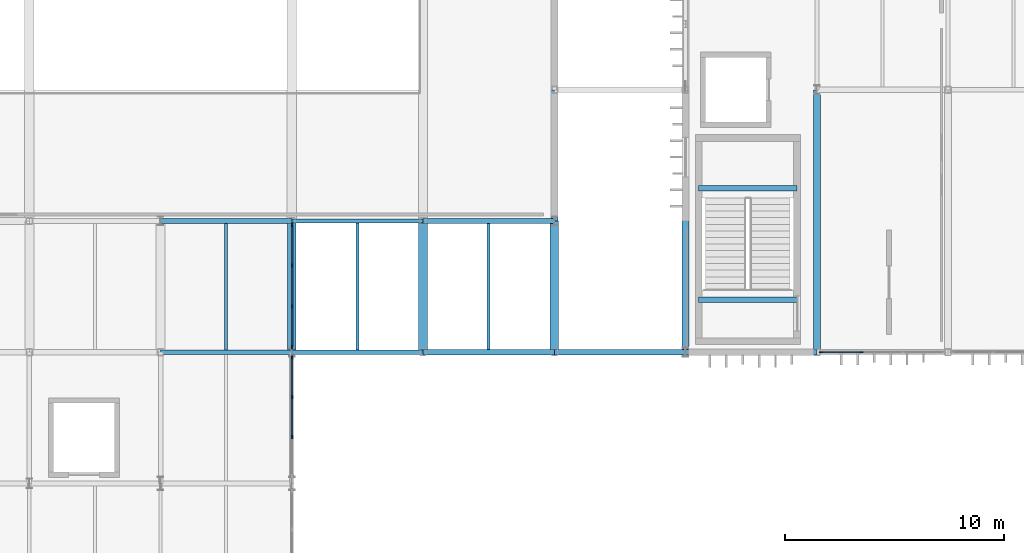
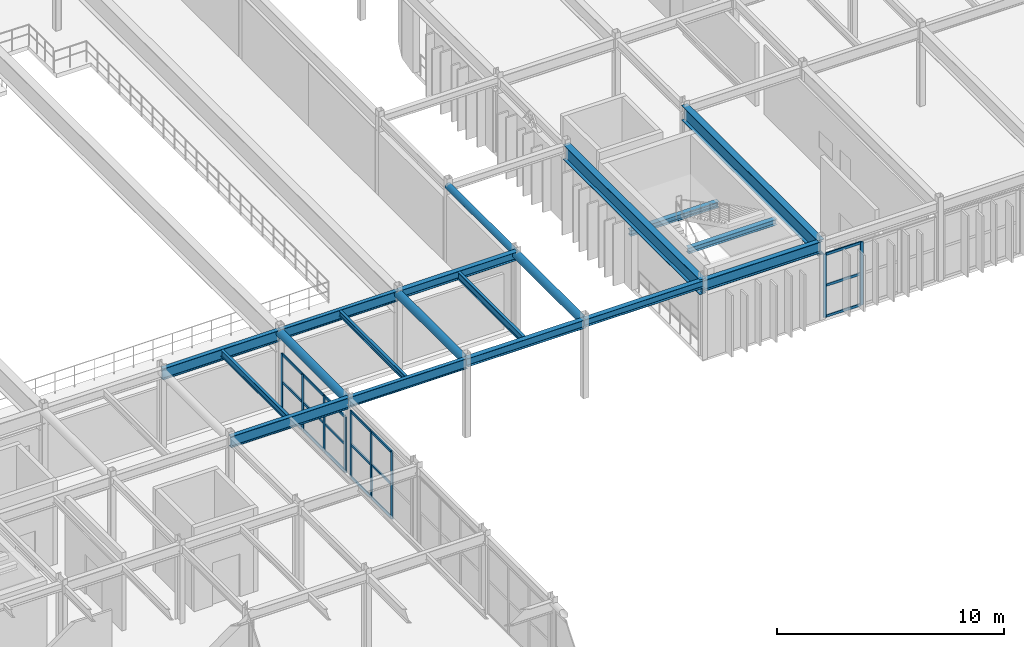
# One storey, part 43 of 96: 27 members, 19 beams, 3 elements without a shape of their own.
"""IFC4 building model written with IfcOpenShell, lengths in metres."""

from ifc_helpers import new_model, si_unit, direction, frame, origin, origin_2d, place, context, subcontext, project, spatial, rectangle, hollow_circle, i_section, extrude, material, material_profile, profile_set, type_object, element, aggregate, save


model = new_model("IFC4")

# Units and contexts
model_context = context("Model", 3, precision=1e-05, world=origin(), true_north=direction((0.0, 1.0)))
body_context = subcontext(model_context, "Body", "Model", "MODEL_VIEW")
ifc_project = project(units=[si_unit("LENGTHUNIT", "METRE"), si_unit("AREAUNIT", "SQUARE_METRE"), si_unit("VOLUMEUNIT", "CUBIC_METRE"), si_unit("PLANEANGLEUNIT", "RADIAN"), si_unit("MASSUNIT", "GRAM", prefix="KILO")], contexts=[model_context])

# Site, building, storey
site_placement = place(None, origin())
site = spatial("IfcSite", under=ifc_project, at=site_placement, CompositionType="ELEMENT")
building_placement = place(site_placement, origin())
building = spatial("IfcBuilding", under=site, at=building_placement, Name="Varnakota Square Police Headquarters", CompositionType="ELEMENT")
storey_placement = place(building_placement, frame((0.0, 0.0, 4.800048828125)))
storey = spatial("IfcBuildingStorey", under=building, at=storey_placement, Name="L01", CompositionType="ELEMENT", Elevation=4.800048828125)

# Beams
ifc_material_1 = material(Name="Steel IS 2062 Grade 350", Category="steel")
ifc_material_profile_1 = material_profile(ifc_material_1, hollow_circle(Radius=0.161865234375, WallThickness=0.0126953125, at=origin_2d()), Name="CHS 323.9x12.7")
ifc_profile_set_1 = profile_set([ifc_material_profile_1], Name="Steel IS 2062 Grade 350")
beam_type_1 = type_object("IfcBeamType", Name="BM-ARC-CHS324", PredefinedType="BEAM", material=ifc_profile_set_1)
beam_1_placement = place(storey_placement, frame((54.0, 75.0, 4.0380859375), z_axis=(0.0, 1.0, 0.0), x_axis=(-1.0, 0.0, 0.0)))
element("IfcBeam", 1, at=beam_1_placement, inside=storey, type_object=beam_type_1, Name="BMG-L01-1640", PredefinedType="BEAM", context=body_context, shape_type="SweptSolid", body=[
    extrude(hollow_circle(Radius=0.161865234375, WallThickness=0.0126953125, at=origin_2d()), origin(), (0.0, 0.0, 1.0), 6.0),
])
ifc_material_profile_2 = material_profile(ifc_material_1, hollow_circle(Radius=0.203125, WallThickness=0.01611328125, at=origin_2d()), Name="CHS 406.4x16.0")
ifc_profile_set_2 = profile_set([ifc_material_profile_2], Name="Steel IS 2062 Grade 350")
beam_type_2 = type_object("IfcBeamType", Name="BM-ARC-CHS406", PredefinedType="BEAM", material=ifc_profile_set_2)
for number, where, z_axis, x_axis, name in (
    (2, (42.0, 69.0, 3.996826171875), (0.0, 1.0, 0.0), (-1.0, 0.0, 0.0), "BMG-L01-1624"),
    (3, (48.0, 69.0, 3.996826171875), (0.0, 1.0, 0.0), (-1.0, 0.0, 0.0), "BMG-L01-1630"),
    (4, (54.0, 69.0, 3.996826171875), (0.0, 1.0, 0.0), (-1.0, 0.0, 0.0), "BMG-L01-1639"),
):
    element("IfcBeam", number, at=place(storey_placement, frame(where, z_axis=z_axis, x_axis=x_axis)), inside=storey, type_object=beam_type_2, Name=name, PredefinedType="BEAM", context=body_context, shape_type="SweptSolid", body=[
        extrude(hollow_circle(Radius=0.203125, WallThickness=0.01611328125, at=origin_2d()), origin(), (0.0, 0.0, 1.0), 6.0),
    ])
ifc_material_profile_3 = material_profile(ifc_material_1, i_section(OverallWidth=0.320068359375, OverallDepth=0.800048828125, WebThickness=0.01611328125, FlangeThickness=0.028076171875, at=origin_2d()), Name="BPG 800x320")
ifc_profile_set_3 = profile_set([ifc_material_profile_3], Name="Steel IS 2062 Grade 350")
beam_type_3 = type_object("IfcBeamType", Name="BM-BPG800", PredefinedType="BEAM", material=ifc_profile_set_3)
for number, where, z_axis, x_axis, name in (
    (5, (60.0, 69.0, 3.800048828125), (0.0, 1.0, 0.0), (-1.0, 0.0, 0.0), "BMG-L01-1645"),
    (6, (66.0, 69.0, 3.800048828125), (0.0, 1.0, 0.0), (-1.0, 0.0, 0.0), "BMG-L01-1649"),
):
    element("IfcBeam", number, at=place(storey_placement, frame(where, z_axis=z_axis, x_axis=x_axis)), inside=storey, type_object=beam_type_3, Name=name, PredefinedType="BEAM", context=body_context, shape_type="SweptSolid", body=[
        extrude(i_section(OverallWidth=0.320068359375, OverallDepth=0.800048828125, WebThickness=0.01611328125, FlangeThickness=0.028076171875, at=origin_2d()), origin(), (0.0, 0.0, 1.0), 12.0),
    ])
ifc_material_profile_4 = material_profile(ifc_material_1, i_section(OverallWidth=0.25, OverallDepth=0.300048828125, WebThickness=0.009521484375, FlangeThickness=0.010498046875, FilletRadius=0.011962890625, at=origin_2d()), Name="ISHB 300")
ifc_profile_set_4 = profile_set([ifc_material_profile_4], Name="Steel IS 2062 Grade 350")
beam_type_4 = type_object("IfcBeamType", Name="BM-ISHB300", PredefinedType="BEAM", material=ifc_profile_set_4)
for number, where, z_axis, x_axis, name in (
    (7, (60.60009765625, 76.500732421875, 1.94189453125), (1.0, 0.0, 0.0), (0.0, 1.0, 0.0), "Stair landing support beam BM-LND-0073"),
    (8, (60.60009765625, 71.400146484375, 4.099853515625), (1.0, 0.0, 0.0), (0.0, 1.0, 0.0), "Stair landing support beam BM-LND-0074"),
):
    element("IfcBeam", number, at=place(storey_placement, frame(where, z_axis=z_axis, x_axis=x_axis)), inside=storey, type_object=beam_type_4, Name=name, PredefinedType="BEAM", context=body_context, shape_type="SweptSolid", body=[
        extrude(i_section(OverallWidth=0.25, OverallDepth=0.300048828125, WebThickness=0.009521484375, FlangeThickness=0.010498046875, FilletRadius=0.011962890625, at=origin_2d()), origin(), (0.0, 0.0, 1.0), 4.5),
    ])
ifc_material_profile_5 = material_profile(ifc_material_1, i_section(OverallWidth=0.25, OverallDepth=0.39990234375, WebThickness=0.010498046875, FlangeThickness=0.0126953125, FilletRadius=0.013916015625, at=origin_2d()), Name="ISHB 400")
ifc_profile_set_5 = profile_set([ifc_material_profile_5], Name="Steel IS 2062 Grade 350")
beam_type_5 = type_object("IfcBeamType", Name="BM-ISHB400", PredefinedType="BEAM", material=ifc_profile_set_5)
beam_2_placement = place(storey_placement, frame((54.0, 69.0, 4.0), z_axis=(1.0, 0.0, 0.0), x_axis=(0.0, 1.0, 0.0)))
element("IfcBeam", 9, at=beam_2_placement, inside=storey, type_object=beam_type_5, Name="BMG-L01-1425", PredefinedType="BEAM", context=body_context, shape_type="SweptSolid", body=[
    extrude(i_section(OverallWidth=0.25, OverallDepth=0.39990234375, WebThickness=0.010498046875, FlangeThickness=0.0126953125, FilletRadius=0.013916015625, at=origin_2d()), origin(), (0.0, 0.0, 1.0), 6.0),
])
ifc_material_profile_6 = material_profile(ifc_material_1, i_section(OverallWidth=0.25, OverallDepth=0.449951171875, WebThickness=0.01123046875, FlangeThickness=0.013671875, FilletRadius=0.014892578125, at=origin_2d()), Name="ISHB 450")
ifc_profile_set_6 = profile_set([ifc_material_profile_6], Name="Steel IS 2062 Grade 350")
beam_type_6 = type_object("IfcBeamType", Name="BM-ISHB450", PredefinedType="BEAM", material=ifc_profile_set_6)
for number, where, z_axis, x_axis, name in (
    (10, (48.0, 69.0, 3.974853515625), (1.0, 0.0, 0.0), (0.0, 1.0, 0.0), "BMG-L01-1424"),
    (11, (48.0, 75.0, 3.974853515625), (1.0, 0.0, 0.0), (0.0, 1.0, 0.0), "BMG-L01-1449"),
):
    element("IfcBeam", number, at=place(storey_placement, frame(where, z_axis=z_axis, x_axis=x_axis)), inside=storey, type_object=beam_type_6, Name=name, PredefinedType="BEAM", context=body_context, shape_type="SweptSolid", body=[
        extrude(i_section(OverallWidth=0.25, OverallDepth=0.449951171875, WebThickness=0.01123046875, FlangeThickness=0.013671875, FilletRadius=0.014892578125, at=origin_2d()), origin(), (0.0, 0.0, 1.0), 6.0),
    ])
ifc_material_profile_7 = material_profile(ifc_material_1, i_section(OverallWidth=0.139892578125, OverallDepth=0.300048828125, WebThickness=0.0078125, FlangeThickness=0.01318359375, FilletRadius=0.013916015625, at=origin_2d()), Name="ISMB 300")
ifc_profile_set_7 = profile_set([ifc_material_profile_7], Name="Steel IS 2062 Grade 350")
beam_type_7 = type_object("IfcBeamType", Name="BM-ISMB300", PredefinedType="JOIST", material=ifc_profile_set_7)
beam_3_placement = place(storey_placement, frame((45.0, 69.093017578125, 4.050048828125), z_axis=(0.0, 1.0, 0.0), x_axis=(-1.0, 0.0, 0.0)))
element("IfcBeam", 12, at=beam_3_placement, inside=storey, type_object=beam_type_7, Name="BMG-L01-1838", PredefinedType="JOIST", context=body_context, shape_type="SweptSolid", body=[
    extrude(i_section(OverallWidth=0.139892578125, OverallDepth=0.300048828125, WebThickness=0.0078125, FlangeThickness=0.01318359375, FilletRadius=0.013916015625, at=origin_2d()), origin(), (0.0, 0.0, 1.0), 5.81396484375),
])
ifc_material_profile_8 = material_profile(ifc_material_1, i_section(OverallWidth=0.139892578125, OverallDepth=0.35009765625, WebThickness=0.008056640625, FlangeThickness=0.01416015625, FilletRadius=0.013916015625, at=origin_2d()), Name="ISMB 350")
ifc_profile_set_8 = profile_set([ifc_material_profile_8], Name="Steel IS 2062 Grade 350")
beam_type_8 = type_object("IfcBeamType", Name="BM-ISMB350", PredefinedType="JOIST", material=ifc_profile_set_8)
beam_4_placement = place(storey_placement, frame((39.0, 69.10302734375, 4.02490234375), z_axis=(0.0, 1.0, 0.0), x_axis=(-1.0, 0.0, 0.0)))
element("IfcBeam", 13, at=beam_4_placement, inside=storey, type_object=beam_type_8, Name="BMG-L01-1834", PredefinedType="JOIST", context=body_context, shape_type="SweptSolid", body=[
    extrude(i_section(OverallWidth=0.139892578125, OverallDepth=0.35009765625, WebThickness=0.008056640625, FlangeThickness=0.01416015625, FilletRadius=0.013916015625, at=origin_2d()), origin(), (0.0, 0.0, 1.0), 5.7939453125),
])
ifc_material_profile_9 = material_profile(ifc_material_1, i_section(OverallWidth=0.139892578125, OverallDepth=0.39990234375, WebThickness=0.0087890625, FlangeThickness=0.01611328125, FilletRadius=0.013916015625, at=origin_2d()), Name="ISMB 400")
ifc_profile_set_9 = profile_set([ifc_material_profile_9], Name="Steel IS 2062 Grade 350")
beam_type_9 = type_object("IfcBeamType", Name="BM-ISMB400", PredefinedType="JOIST", material=ifc_profile_set_9)
beam_5_placement = place(storey_placement, frame((51.0, 69.123046875, 4.0), z_axis=(0.0, 1.0, 0.0), x_axis=(-1.0, 0.0, 0.0)))
element("IfcBeam", 14, at=beam_5_placement, inside=storey, type_object=beam_type_9, Name="BMG-L01-1840", PredefinedType="JOIST", context=body_context, shape_type="SweptSolid", body=[
    extrude(i_section(OverallWidth=0.139892578125, OverallDepth=0.39990234375, WebThickness=0.0087890625, FlangeThickness=0.01611328125, FilletRadius=0.013916015625, at=origin_2d()), origin(), (0.0, 0.0, 1.0), 5.75390625),
])
ifc_material_profile_10 = material_profile(ifc_material_1, i_section(OverallWidth=0.18994140625, OverallDepth=0.550048828125, WebThickness=0.01123046875, FlangeThickness=0.019287109375, FilletRadius=0.01806640625, at=origin_2d()), Name="ISMB 550")
ifc_profile_set_10 = profile_set([ifc_material_profile_10], Name="Steel IS 2062 Grade 350")
beam_type_10 = type_object("IfcBeamType", Name="BM-ISMB550", PredefinedType="BEAM", material=ifc_profile_set_10)
for number, where, z_axis, x_axis, name in (
    (15, (42.0, 69.0, 3.925048828125), (1.0, 0.0, 0.0), (0.0, 1.0, 0.0), "BMG-L01-1423"),
    (16, (42.0, 75.0, 3.925048828125), (1.0, 0.0, 0.0), (0.0, 1.0, 0.0), "BMG-L01-1448"),
):
    element("IfcBeam", number, at=place(storey_placement, frame(where, z_axis=z_axis, x_axis=x_axis)), inside=storey, type_object=beam_type_10, Name=name, PredefinedType="BEAM", context=body_context, shape_type="SweptSolid", body=[
        extrude(i_section(OverallWidth=0.18994140625, OverallDepth=0.550048828125, WebThickness=0.01123046875, FlangeThickness=0.019287109375, FilletRadius=0.01806640625, at=origin_2d()), origin(), (0.0, 0.0, 1.0), 6.0),
    ])
ifc_material_profile_11 = material_profile(ifc_material_1, i_section(OverallWidth=0.2099609375, OverallDepth=0.60009765625, WebThickness=0.011962890625, FlangeThickness=0.020751953125, FilletRadius=0.02001953125, at=origin_2d()), Name="ISMB 600")
ifc_profile_set_11 = profile_set([ifc_material_profile_11], Name="Steel IS 2062 Grade 350")
beam_type_11 = type_object("IfcBeamType", Name="BM-ISMB600", PredefinedType="BEAM", material=ifc_profile_set_11)
for number, where, z_axis, x_axis, name in (
    (17, (36.0, 69.0, 3.89990234375), (1.0, 0.0, 0.0), (0.0, 1.0, 0.0), "BMG-L01-1422"),
    (18, (36.0, 75.0, 3.89990234375), (1.0, 0.0, 0.0), (0.0, 1.0, 0.0), "BMG-L01-1447"),
):
    element("IfcBeam", number, at=place(storey_placement, frame(where, z_axis=z_axis, x_axis=x_axis)), inside=storey, type_object=beam_type_11, Name=name, PredefinedType="BEAM", context=body_context, shape_type="SweptSolid", body=[
        extrude(i_section(OverallWidth=0.2099609375, OverallDepth=0.60009765625, WebThickness=0.011962890625, FlangeThickness=0.020751953125, FilletRadius=0.02001953125, at=origin_2d()), origin(), (0.0, 0.0, 1.0), 6.0),
    ])
ifc_material_profile_12 = material_profile(ifc_material_1, i_section(OverallWidth=0.25, OverallDepth=0.60009765625, WebThickness=0.01171875, FlangeThickness=0.023681640625, FilletRadius=0.01708984375, at=origin_2d()), Name="ISWB 600")
ifc_profile_set_12 = profile_set([ifc_material_profile_12], Name="Steel IS 2062 Grade 350")
beam_type_12 = type_object("IfcBeamType", Name="BM-ISWB600", PredefinedType="BEAM", material=ifc_profile_set_12)
beam_6_placement = place(storey_placement, frame((60.0, 69.0, 3.89990234375), z_axis=(1.0, 0.0, 0.0), x_axis=(0.0, 1.0, 0.0)))
element("IfcBeam", 19, at=beam_6_placement, inside=storey, type_object=beam_type_12, Name="BMG-L01-1426", PredefinedType="BEAM", context=body_context, shape_type="SweptSolid", body=[
    extrude(i_section(OverallWidth=0.25, OverallDepth=0.60009765625, WebThickness=0.01171875, FlangeThickness=0.023681640625, FilletRadius=0.01708984375, at=origin_2d()), origin(), (0.0, 0.0, 1.0), 6.0),
])

# Curtain wall, members
ifc_material_2 = material(Name="Anodised Aluminium Framing", Category="aluminium")
curtain_wall_type_1 = type_object("IfcCurtainWallType", Name="CW-SYS-D", PredefinedType="NOTDEFINED", material=ifc_material_2)
curtain_wall_1_placement = place(storey_placement, origin())
curtain_wall_1 = element("IfcCurtainWall", 20, at=curtain_wall_1_placement, inside=storey, type_object=curtain_wall_type_1, Name="Unitised curtain wall CWG-L01-146", PredefinedType="NOTDEFINED")
ifc_material_3 = material(Name="Anodised Aluminium 6063-T6", Category="aluminium")
ifc_material_profile_13 = material_profile(ifc_material_3, rectangle(XDim=0.06494140625, YDim=0.159912109375, at=origin_2d()), Name="ALU MULLION 65x160")
ifc_profile_set_13 = profile_set([ifc_material_profile_13], Name="Anodised Aluminium 6063-T6")
member_type_1 = type_object("IfcMemberType", Name="CWM-150", PredefinedType="MULLION", material=ifc_profile_set_13)
member_1_placement = place(storey_placement, frame((42.0, 65.135009765625, 0.0), z_axis=(0.0, 0.0, 1.0), x_axis=(-1.0, 0.0, 0.0)))
member_1 = element("IfcMember", 21, at=member_1_placement, type_object=member_type_1, Name="CWG-L01-146 mullion 2", PredefinedType="MULLION", context=body_context, shape_type="SweptSolid", body=[
    extrude(rectangle(XDim=0.06494140625, YDim=0.159912109375, at=origin_2d()), origin(), (0.0, 0.0, 1.0), 3.58984375),
])
member_2_placement = place(storey_placement, frame((42.0, 66.965087890625, 0.0), z_axis=(0.0, 0.0, 1.0), x_axis=(-1.0, 0.0, 0.0)))
member_2 = element("IfcMember", 22, at=member_2_placement, type_object=member_type_1, Name="CWG-L01-146 mullion 3", PredefinedType="MULLION", context=body_context, shape_type="SweptSolid", body=[
    extrude(rectangle(XDim=0.06494140625, YDim=0.159912109375, at=origin_2d()), origin(), (0.0, 0.0, 1.0), 3.58984375),
])
member_3_placement = place(storey_placement, frame((42.0, 68.762451171875, 0.0), z_axis=(0.0, 0.0, 1.0), x_axis=(-1.0, 0.0, 0.0)))
member_3 = element("IfcMember", 23, at=member_3_placement, type_object=member_type_1, Name="CWG-L01-146 mullion 4", PredefinedType="MULLION", context=body_context, shape_type="SweptSolid", body=[
    extrude(rectangle(XDim=0.06494140625, YDim=0.159912109375, at=origin_2d()), origin(), (0.0, 0.0, 1.0), 3.58984375),
])

curtain_wall_2_placement = place(storey_placement, origin())
curtain_wall_2 = element("IfcCurtainWall", 24, at=curtain_wall_2_placement, inside=storey, type_object=curtain_wall_type_1, Name="Unitised curtain wall CWG-L01-147", PredefinedType="NOTDEFINED")
member_4_placement = place(storey_placement, frame((42.0, 69.237548828125, 0.0), z_axis=(0.0, 0.0, 1.0), x_axis=(-1.0, 0.0, 0.0)))
member_4 = element("IfcMember", 25, at=member_4_placement, type_object=member_type_1, Name="CWG-L01-147 mullion 1", PredefinedType="MULLION", context=body_context, shape_type="SweptSolid", body=[
    extrude(rectangle(XDim=0.06494140625, YDim=0.159912109375, at=origin_2d()), origin(), (0.0, 0.0, 1.0), 2.989990234375),
])
member_5_placement = place(storey_placement, frame((42.0, 71.0849609375, 0.0), z_axis=(0.0, 0.0, 1.0), x_axis=(-1.0, 0.0, 0.0)))
member_5 = element("IfcMember", 26, at=member_5_placement, type_object=member_type_1, Name="CWG-L01-147 mullion 2", PredefinedType="MULLION", context=body_context, shape_type="SweptSolid", body=[
    extrude(rectangle(XDim=0.06494140625, YDim=0.159912109375, at=origin_2d()), origin(), (0.0, 0.0, 1.0), 2.989990234375),
])
member_6_placement = place(storey_placement, frame((42.0, 72.965087890625, 0.0), z_axis=(0.0, 0.0, 1.0), x_axis=(-1.0, 0.0, 0.0)))
member_6 = element("IfcMember", 27, at=member_6_placement, type_object=member_type_1, Name="CWG-L01-147 mullion 3", PredefinedType="MULLION", context=body_context, shape_type="SweptSolid", body=[
    extrude(rectangle(XDim=0.06494140625, YDim=0.159912109375, at=origin_2d()), origin(), (0.0, 0.0, 1.0), 2.989990234375),
])
member_7_placement = place(storey_placement, frame((42.0, 74.8125, 0.0), z_axis=(0.0, 0.0, 1.0), x_axis=(-1.0, 0.0, 0.0)))
member_7 = element("IfcMember", 28, at=member_7_placement, type_object=member_type_1, Name="CWG-L01-147 mullion 4", PredefinedType="MULLION", context=body_context, shape_type="SweptSolid", body=[
    extrude(rectangle(XDim=0.06494140625, YDim=0.159912109375, at=origin_2d()), origin(), (0.0, 0.0, 1.0), 2.989990234375),
])

curtain_wall_type_2 = type_object("IfcCurtainWallType", Name="CW-SYS-B", PredefinedType="NOTDEFINED", material=ifc_material_2)
curtain_wall_3_placement = place(storey_placement, origin())
curtain_wall_3 = element("IfcCurtainWall", 29, at=curtain_wall_3_placement, inside=storey, type_object=curtain_wall_type_2, Name="Unitised curtain wall CWG-L01-227", PredefinedType="NOTDEFINED")
member_8_placement = place(storey_placement, frame((66.1875, 69.0, 0.0), z_axis=(0.0, 0.0, 1.0), x_axis=(0.0, 1.0, 0.0)))
member_8 = element("IfcMember", 30, at=member_8_placement, type_object=member_type_1, Name="CWG-L01-227 mullion 1", PredefinedType="MULLION", context=body_context, shape_type="SweptSolid", body=[
    extrude(rectangle(XDim=0.06494140625, YDim=0.159912109375, at=origin_2d()), origin(), (0.0, 0.0, 1.0), 3.389892578125),
])
member_9_placement = place(storey_placement, frame((68.0517578125, 69.0, 0.0), z_axis=(0.0, 0.0, 1.0), x_axis=(0.0, 1.0, 0.0)))
member_9 = element("IfcMember", 31, at=member_9_placement, type_object=member_type_1, Name="CWG-L01-227 mullion 2", PredefinedType="MULLION", context=body_context, shape_type="SweptSolid", body=[
    extrude(rectangle(XDim=0.06494140625, YDim=0.159912109375, at=origin_2d()), origin(), (0.0, 0.0, 1.0), 3.389892578125),
])

# Member
ifc_material_profile_14 = material_profile(ifc_material_3, rectangle(XDim=0.06494140625, YDim=0.1298828125, at=origin_2d()), Name="ALU TRANSOM 65x130")
ifc_profile_set_14 = profile_set([ifc_material_profile_14], Name="Anodised Aluminium 6063-T6")
member_type_2 = type_object("IfcMemberType", Name="CWT-120", PredefinedType="USERDEFINED", material=ifc_profile_set_14)
member_10_placement = place(storey_placement, frame((42.0, 65.16748046875, 0.032470703125), z_axis=(0.0, 1.0, 0.0), x_axis=(-1.0, 0.0, 0.0)))
member_10 = element("IfcMember", 32, at=member_10_placement, type_object=member_type_2, Name="CWG-L01-146 transom 2.1", ObjectType="TRANSOM", PredefinedType="USERDEFINED", context=body_context, shape_type="SweptSolid", body=[
    extrude(rectangle(XDim=0.06494140625, YDim=0.1298828125, at=origin_2d()), origin(), (0.0, 0.0, 1.0), 1.76513671875),
])

member_11_placement = place(storey_placement, frame((42.0, 65.16748046875, 1.794921875), z_axis=(0.0, 1.0, 0.0), x_axis=(-1.0, 0.0, 0.0)))
member_11 = element("IfcMember", 33, at=member_11_placement, type_object=member_type_2, Name="CWG-L01-146 transom 2.2", ObjectType="TRANSOM", PredefinedType="USERDEFINED", context=body_context, shape_type="SweptSolid", body=[
    extrude(rectangle(XDim=0.06494140625, YDim=0.1298828125, at=origin_2d()), origin(), (0.0, 0.0, 1.0), 1.76513671875),
])

member_12_placement = place(storey_placement, frame((42.0, 65.16748046875, 3.557373046875), z_axis=(0.0, 1.0, 0.0), x_axis=(-1.0, 0.0, 0.0)))
member_12 = element("IfcMember", 34, at=member_12_placement, type_object=member_type_2, Name="CWG-L01-146 transom 2.3", ObjectType="TRANSOM", PredefinedType="USERDEFINED", context=body_context, shape_type="SweptSolid", body=[
    extrude(rectangle(XDim=0.06494140625, YDim=0.1298828125, at=origin_2d()), origin(), (0.0, 0.0, 1.0), 1.76513671875),
])

member_13_placement = place(storey_placement, frame((42.0, 66.99755859375, 0.032470703125), z_axis=(0.0, 1.0, 0.0), x_axis=(-1.0, 0.0, 0.0)))
member_13 = element("IfcMember", 35, at=member_13_placement, type_object=member_type_2, Name="CWG-L01-146 transom 3.1", ObjectType="TRANSOM", PredefinedType="USERDEFINED", context=body_context, shape_type="SweptSolid", body=[
    extrude(rectangle(XDim=0.06494140625, YDim=0.1298828125, at=origin_2d()), origin(), (0.0, 0.0, 1.0), 1.732421875),
])

member_14_placement = place(storey_placement, frame((42.0, 66.99755859375, 1.794921875), z_axis=(0.0, 1.0, 0.0), x_axis=(-1.0, 0.0, 0.0)))
member_14 = element("IfcMember", 36, at=member_14_placement, type_object=member_type_2, Name="CWG-L01-146 transom 3.2", ObjectType="TRANSOM", PredefinedType="USERDEFINED", context=body_context, shape_type="SweptSolid", body=[
    extrude(rectangle(XDim=0.06494140625, YDim=0.1298828125, at=origin_2d()), origin(), (0.0, 0.0, 1.0), 1.732421875),
])

member_15_placement = place(storey_placement, frame((42.0, 66.99755859375, 3.557373046875), z_axis=(0.0, 1.0, 0.0), x_axis=(-1.0, 0.0, 0.0)))
member_15 = element("IfcMember", 37, at=member_15_placement, type_object=member_type_2, Name="CWG-L01-146 transom 3.3", ObjectType="TRANSOM", PredefinedType="USERDEFINED", context=body_context, shape_type="SweptSolid", body=[
    extrude(rectangle(XDim=0.06494140625, YDim=0.1298828125, at=origin_2d()), origin(), (0.0, 0.0, 1.0), 1.732421875),
])

aggregate(curtain_wall_1, [member_1, member_2, member_3, member_10, member_11, member_12, member_13, member_14, member_15])

member_16_placement = place(storey_placement, frame((42.0, 69.27001953125, 0.032470703125), z_axis=(0.0, 1.0, 0.0), x_axis=(-1.0, 0.0, 0.0)))
member_16 = element("IfcMember", 38, at=member_16_placement, type_object=member_type_2, Name="CWG-L01-147 transom 1.1", ObjectType="TRANSOM", PredefinedType="USERDEFINED", context=body_context, shape_type="SweptSolid", body=[
    extrude(rectangle(XDim=0.06494140625, YDim=0.1298828125, at=origin_2d()), origin(), (0.0, 0.0, 1.0), 1.782470703125),
])

member_17_placement = place(storey_placement, frame((42.0, 69.27001953125, 1.494873046875), z_axis=(0.0, 1.0, 0.0), x_axis=(-1.0, 0.0, 0.0)))
member_17 = element("IfcMember", 39, at=member_17_placement, type_object=member_type_2, Name="CWG-L01-147 transom 1.2", ObjectType="TRANSOM", PredefinedType="USERDEFINED", context=body_context, shape_type="SweptSolid", body=[
    extrude(rectangle(XDim=0.06494140625, YDim=0.1298828125, at=origin_2d()), origin(), (0.0, 0.0, 1.0), 1.782470703125),
])

member_18_placement = place(storey_placement, frame((42.0, 69.27001953125, 2.95751953125), z_axis=(0.0, 1.0, 0.0), x_axis=(-1.0, 0.0, 0.0)))
member_18 = element("IfcMember", 40, at=member_18_placement, type_object=member_type_2, Name="CWG-L01-147 transom 1.3", ObjectType="TRANSOM", PredefinedType="USERDEFINED", context=body_context, shape_type="SweptSolid", body=[
    extrude(rectangle(XDim=0.06494140625, YDim=0.1298828125, at=origin_2d()), origin(), (0.0, 0.0, 1.0), 1.782470703125),
])

member_19_placement = place(storey_placement, frame((42.0, 71.117431640625, 0.032470703125), z_axis=(0.0, 1.0, 0.0), x_axis=(-1.0, 0.0, 0.0)))
member_19 = element("IfcMember", 41, at=member_19_placement, type_object=member_type_2, Name="CWG-L01-147 transom 2.1", ObjectType="TRANSOM", PredefinedType="USERDEFINED", context=body_context, shape_type="SweptSolid", body=[
    extrude(rectangle(XDim=0.06494140625, YDim=0.1298828125, at=origin_2d()), origin(), (0.0, 0.0, 1.0), 1.815185546875),
])

member_20_placement = place(storey_placement, frame((42.0, 71.117431640625, 1.494873046875), z_axis=(0.0, 1.0, 0.0), x_axis=(-1.0, 0.0, 0.0)))
member_20 = element("IfcMember", 42, at=member_20_placement, type_object=member_type_2, Name="CWG-L01-147 transom 2.2", ObjectType="TRANSOM", PredefinedType="USERDEFINED", context=body_context, shape_type="SweptSolid", body=[
    extrude(rectangle(XDim=0.06494140625, YDim=0.1298828125, at=origin_2d()), origin(), (0.0, 0.0, 1.0), 1.815185546875),
])

member_21_placement = place(storey_placement, frame((42.0, 71.117431640625, 2.95751953125), z_axis=(0.0, 1.0, 0.0), x_axis=(-1.0, 0.0, 0.0)))
member_21 = element("IfcMember", 43, at=member_21_placement, type_object=member_type_2, Name="CWG-L01-147 transom 2.3", ObjectType="TRANSOM", PredefinedType="USERDEFINED", context=body_context, shape_type="SweptSolid", body=[
    extrude(rectangle(XDim=0.06494140625, YDim=0.1298828125, at=origin_2d()), origin(), (0.0, 0.0, 1.0), 1.815185546875),
])

member_22_placement = place(storey_placement, frame((42.0, 72.99755859375, 0.032470703125), z_axis=(0.0, 1.0, 0.0), x_axis=(-1.0, 0.0, 0.0)))
member_22 = element("IfcMember", 44, at=member_22_placement, type_object=member_type_2, Name="CWG-L01-147 transom 3.1", ObjectType="TRANSOM", PredefinedType="USERDEFINED", context=body_context, shape_type="SweptSolid", body=[
    extrude(rectangle(XDim=0.06494140625, YDim=0.1298828125, at=origin_2d()), origin(), (0.0, 0.0, 1.0), 1.782470703125),
])

member_23_placement = place(storey_placement, frame((42.0, 72.99755859375, 1.494873046875), z_axis=(0.0, 1.0, 0.0), x_axis=(-1.0, 0.0, 0.0)))
member_23 = element("IfcMember", 45, at=member_23_placement, type_object=member_type_2, Name="CWG-L01-147 transom 3.2", ObjectType="TRANSOM", PredefinedType="USERDEFINED", context=body_context, shape_type="SweptSolid", body=[
    extrude(rectangle(XDim=0.06494140625, YDim=0.1298828125, at=origin_2d()), origin(), (0.0, 0.0, 1.0), 1.782470703125),
])

member_24_placement = place(storey_placement, frame((42.0, 72.99755859375, 2.95751953125), z_axis=(0.0, 1.0, 0.0), x_axis=(-1.0, 0.0, 0.0)))
member_24 = element("IfcMember", 46, at=member_24_placement, type_object=member_type_2, Name="CWG-L01-147 transom 3.3", ObjectType="TRANSOM", PredefinedType="USERDEFINED", context=body_context, shape_type="SweptSolid", body=[
    extrude(rectangle(XDim=0.06494140625, YDim=0.1298828125, at=origin_2d()), origin(), (0.0, 0.0, 1.0), 1.782470703125),
])

aggregate(curtain_wall_2, [member_4, member_5, member_6, member_7, member_16, member_17, member_18, member_19, member_20, member_21, member_22, member_23, member_24])

member_25_placement = place(storey_placement, frame((66.219970703125, 69.0, 0.032470703125), z_axis=(1.0, 0.0, 0.0), x_axis=(0.0, 1.0, 0.0)))
member_25 = element("IfcMember", 47, at=member_25_placement, type_object=member_type_2, Name="CWG-L01-227 transom 1.1", ObjectType="TRANSOM", PredefinedType="USERDEFINED", context=body_context, shape_type="SweptSolid", body=[
    extrude(rectangle(XDim=0.06494140625, YDim=0.1298828125, at=origin_2d()), origin(), (0.0, 0.0, 1.0), 1.79931640625),
])

member_26_placement = place(storey_placement, frame((66.219970703125, 69.0, 1.695068359375), z_axis=(1.0, 0.0, 0.0), x_axis=(0.0, 1.0, 0.0)))
member_26 = element("IfcMember", 48, at=member_26_placement, type_object=member_type_2, Name="CWG-L01-227 transom 1.2", ObjectType="TRANSOM", PredefinedType="USERDEFINED", context=body_context, shape_type="SweptSolid", body=[
    extrude(rectangle(XDim=0.06494140625, YDim=0.1298828125, at=origin_2d()), origin(), (0.0, 0.0, 1.0), 1.79931640625),
])

member_27_placement = place(storey_placement, frame((66.219970703125, 69.0, 3.357421875), z_axis=(1.0, 0.0, 0.0), x_axis=(0.0, 1.0, 0.0)))
member_27 = element("IfcMember", 49, at=member_27_placement, type_object=member_type_2, Name="CWG-L01-227 transom 1.3", ObjectType="TRANSOM", PredefinedType="USERDEFINED", context=body_context, shape_type="SweptSolid", body=[
    extrude(rectangle(XDim=0.06494140625, YDim=0.1298828125, at=origin_2d()), origin(), (0.0, 0.0, 1.0), 1.79931640625),
])

aggregate(curtain_wall_3, [member_8, member_9, member_25, member_26, member_27])

save(model, "model.ifc")
